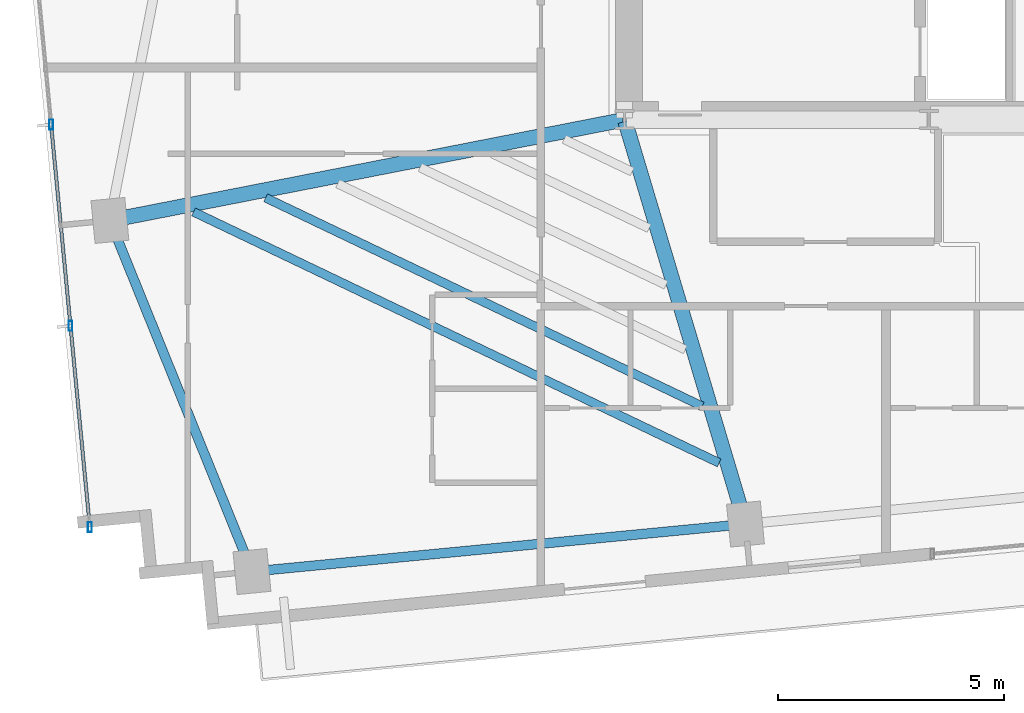
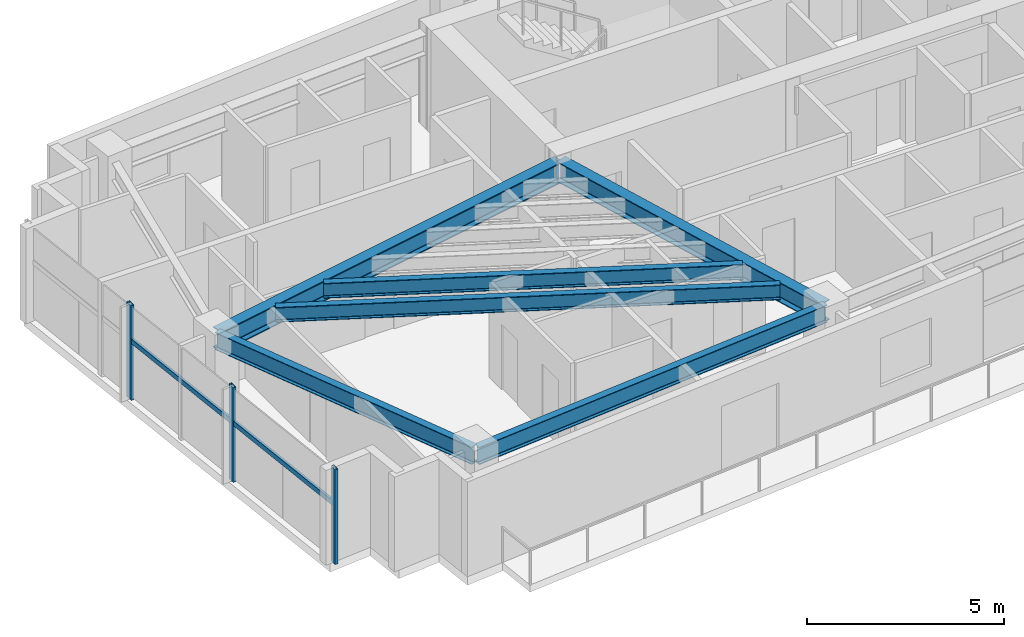
# One storey, part 2 of 18: 6 beams, 5 members, 1 element without a shape of its own.
"""IFC4 building model written with IfcOpenShell, lengths in metres."""

from ifc_helpers import new_model, si_unit, direction, frame, origin, origin_2d, place, context, subcontext, project, spatial, hollow_rectangle, i_section, extrude, source, transform, mapped, material, material_profile, profile_set, type_object, type_shapes, element, aggregate, save


model = new_model("IFC4")

# Units and contexts
model_context = context("Model", 3, precision=1e-05, world=origin(), true_north=direction((0.0, 1.0)))
body_context = subcontext(model_context, "Body", "Model", "MODEL_VIEW")
ifc_project = project(units=[si_unit("LENGTHUNIT", "METRE"), si_unit("AREAUNIT", "SQUARE_METRE"), si_unit("VOLUMEUNIT", "CUBIC_METRE"), si_unit("PLANEANGLEUNIT", "RADIAN"), si_unit("MASSUNIT", "GRAM", prefix="KILO")], contexts=[model_context])

# Site, building, storey
site_placement = place(None, origin())
site = spatial("IfcSite", under=ifc_project, at=site_placement, CompositionType="ELEMENT")
building_placement = place(site_placement, origin())
building = spatial("IfcBuilding", under=site, at=building_placement, Name="Astriad Promenade Condominiums", CompositionType="ELEMENT")
storey_placement = place(building_placement, frame((0.0, 0.0, 205.0)))
storey = spatial("IfcBuildingStorey", under=building, at=storey_placement, Name="L59", CompositionType="ELEMENT", Elevation=205.0)

# Beams
ifc_material_1 = material(Name="Steel ASTM A992 Grade 50", Category="steel")
ifc_material_profile_1 = material_profile(ifc_material_1, i_section(OverallWidth=0.210693359375, OverallDepth=0.53955078125, WebThickness=0.01171875, FlangeThickness=0.018798828125, FilletRadius=0.0166015625, at=origin_2d()), Name="W21X73")
ifc_profile_set_1 = profile_set([ifc_material_profile_1], Name="Steel ASTM A992 Grade 50")
beam_type_1 = type_object("IfcBeamType", Name="STEEL SPANDREL BEAM W21X73", PredefinedType="SPANDREL", material=ifc_profile_set_1)
shared_shape_1 = source(origin(), body_context, "Body", "SweptSolid", [
    extrude(i_section(OverallWidth=0.210693359375, OverallDepth=0.53955078125, WebThickness=0.01171875, FlangeThickness=0.018798828125, FilletRadius=0.0166015625, at=origin_2d()), origin(), (0.0, 0.0, 1.0), 10.8701171875),
])
beam_1_placement = place(storey_placement, frame((18.209228515625, 7.421630859375, 2.67041015625), z_axis=(0.995394986184, 0.09585834069, 0.0), x_axis=(-0.09585834069, 0.995394986184, 0.0)))
element("IfcBeam", 1, at=beam_1_placement, inside=storey, type_object=beam_type_1, Name="Perimeter Spandrel Beam SP-S1-L59", PredefinedType="SPANDREL", context=body_context, shape_type="MappedRepresentation", body=[
    mapped(shared_shape_1, transform((0.0, 0.0, 0.0), scale=1.0)),
])
shared_shape_2 = source(origin(), body_context, "Body", "SweptSolid", [
    extrude(i_section(OverallWidth=0.210693359375, OverallDepth=0.53955078125, WebThickness=0.01171875, FlangeThickness=0.018798828125, FilletRadius=0.0166015625, at=origin_2d()), origin(), (0.0, 0.0, 1.0), 8.28564453125),
])
type_shapes(beam_type_1, [shared_shape_1, shared_shape_2])
beam_2_placement = place(storey_placement, frame((15.046875, 15.1357421875, 2.67041015625), z_axis=(0.375070987134, -0.926996092014, 0.0), x_axis=(0.926996092014, 0.375070987134, 0.0)))
element("IfcBeam", 2, at=beam_2_placement, inside=storey, type_object=beam_type_1, Name="Perimeter Spandrel Beam SP-W1-L59", PredefinedType="SPANDREL", context=body_context, shape_type="MappedRepresentation", body=[
    mapped(shared_shape_2, transform((0.0, 0.0, 0.0), scale=1.0)),
])
ifc_material_profile_2 = material_profile(ifc_material_1, i_section(OverallWidth=0.327392578125, OverallDepth=0.640625, WebThickness=0.01904296875, FlangeThickness=0.033935546875, FilletRadius=0.017822265625, at=origin_2d()), Name="W24X176")
ifc_profile_set_2 = profile_set([ifc_material_profile_2], Name="Steel ASTM A992 Grade 50")
beam_type_2 = type_object("IfcBeamType", Name="STEEL FLOOR GIRDER W24X176", PredefinedType="BEAM", material=ifc_profile_set_2)
shared_shape_3 = source(origin(), body_context, "Body", "SweptSolid", [
    extrude(i_section(OverallWidth=0.327392578125, OverallDepth=0.640625, WebThickness=0.01904296875, FlangeThickness=0.033935546875, FilletRadius=0.017822265625, at=origin_2d()), origin(), (0.0, 0.0, 1.0), 11.504150390625),
])
type_shapes(beam_type_2, [shared_shape_3])
beam_3_placement = place(storey_placement, frame((15.071044921875, 15.1806640625, 2.61962890625), z_axis=(0.981346028441, 0.192249765833, 0.0), x_axis=(-0.192249765833, 0.981346028441, 0.0)))
element("IfcBeam", 3, at=beam_3_placement, inside=storey, type_object=beam_type_2, Name="Primary Floor Girder PG-WM-L59", PredefinedType="BEAM", context=body_context, shape_type="MappedRepresentation", body=[
    mapped(shared_shape_3, transform((0.0, 0.0, 0.0), scale=1.0)),
])
ifc_material_profile_3 = material_profile(ifc_material_1, i_section(OverallWidth=0.326416015625, OverallDepth=0.621826171875, WebThickness=0.015380859375, FlangeThickness=0.0244140625, FilletRadius=0.017822265625, at=origin_2d()), Name="W24X131")
ifc_profile_set_3 = profile_set([ifc_material_profile_3], Name="Steel ASTM A992 Grade 50")
beam_type_3 = type_object("IfcBeamType", Name="STEEL FLOOR GIRDER W24X131", PredefinedType="BEAM", material=ifc_profile_set_3)
shared_shape_4 = source(origin(), body_context, "Body", "SweptSolid", [
    extrude(i_section(OverallWidth=0.326416015625, OverallDepth=0.621826171875, WebThickness=0.015380859375, FlangeThickness=0.0244140625, FilletRadius=0.017822265625, at=origin_2d()), origin(), (0.0, 0.0, 1.0), 9.242919921875),
])
type_shapes(beam_type_3, [shared_shape_4])
beam_4_placement = place(storey_placement, frame((29.0576171875, 8.505615234375, 2.629150390625), z_axis=(-0.286269354745, 0.958149182818, 0.0), x_axis=(-0.958149182818, -0.286269354745, 0.0)))
element("IfcBeam", 4, at=beam_4_placement, inside=storey, type_object=beam_type_3, Name="Primary Floor Girder PG-W2-L59", PredefinedType="BEAM", context=body_context, shape_type="MappedRepresentation", body=[
    mapped(shared_shape_4, transform((0.0, 0.0, 0.0), scale=1.0)),
])
ifc_material_profile_4 = material_profile(ifc_material_1, i_section(OverallWidth=0.19287109375, OverallDepth=0.466064453125, WebThickness=0.011474609375, FlangeThickness=0.01904296875, FilletRadius=0.01513671875, at=origin_2d()), Name="W18X65")
ifc_profile_set_4 = profile_set([ifc_material_profile_4], Name="Steel ASTM A992 Grade 50")
beam_type_4 = type_object("IfcBeamType", Name="STEEL FLOOR JOIST W18X65", PredefinedType="JOIST", material=ifc_profile_set_4)
shared_shape_5 = source(origin(), body_context, "Body", "SweptSolid", [
    extrude(i_section(OverallWidth=0.19287109375, OverallDepth=0.466064453125, WebThickness=0.011474609375, FlangeThickness=0.01904296875, FilletRadius=0.01513671875, at=origin_2d()), origin(), (0.0, 0.0, 1.0), 12.864013671875),
])
beam_5_placement = place(storey_placement, frame((16.8798828125, 15.362060546875, 2.70703125), z_axis=(0.902332932985, -0.431039763886, 0.0), x_axis=(0.431039763886, 0.902332932985, 0.0)))
element("IfcBeam", 5, at=beam_5_placement, inside=storey, type_object=beam_type_4, Name="Secondary Composite Floor Joist JW1-1-L59", PredefinedType="JOIST", context=body_context, shape_type="MappedRepresentation", body=[
    mapped(shared_shape_5, transform((0.0, 0.0, 0.0), scale=1.0)),
])
shared_shape_6 = source(origin(), body_context, "Body", "SweptSolid", [
    extrude(i_section(OverallWidth=0.19287109375, OverallDepth=0.466064453125, WebThickness=0.011474609375, FlangeThickness=0.01904296875, FilletRadius=0.01513671875, at=origin_2d()), origin(), (0.0, 0.0, 1.0), 10.686279296875),
])
type_shapes(beam_type_4, [shared_shape_5, shared_shape_6])
beam_6_placement = place(storey_placement, frame((18.471435546875, 15.673828125, 2.70703125), z_axis=(0.902342124644, -0.431020521661, 0.0), x_axis=(0.431020521661, 0.902342124644, 0.0)))
element("IfcBeam", 6, at=beam_6_placement, inside=storey, type_object=beam_type_4, Name="Secondary Composite Floor Joist JW1-2-L59", PredefinedType="JOIST", context=body_context, shape_type="MappedRepresentation", body=[
    mapped(shared_shape_6, transform((0.0, 0.0, 0.0), scale=1.0)),
])

# Curtain wall, members
ifc_material_2 = material(Name="Anodised aluminium Black Dark Glass Unitised", Category="aluminium")
curtain_wall_type = type_object("IfcCurtainWallType", Name="CW-B34-DARK", PredefinedType="USERDEFINED", material=ifc_material_2)
curtain_wall_placement = place(storey_placement, origin())
curtain_wall = element("IfcCurtainWall", 7, at=curtain_wall_placement, inside=storey, type_object=curtain_wall_type, Name="CW-L59-W", ObjectType="UNITISED_CURTAIN_WALL", PredefinedType="USERDEFINED")
ifc_material_3 = material(Name="Anodised aluminium 6063-T6 Black", Category="aluminium")
ifc_material_profile_5 = material_profile(ifc_material_3, hollow_rectangle(XDim=0.0849609375, YDim=0.219970703125, WallThickness=0.0048828125, at=origin_2d()), Name="ALU-MUL-85X220")
ifc_profile_set_5 = profile_set([ifc_material_profile_5], Name="Anodised aluminium 6063-T6 Black")
member_type_1 = type_object("IfcMemberType", Name="MUL-ALU-MUL-85X220", PredefinedType="MULLION", material=ifc_profile_set_5)
shared_shape_7 = source(origin(), body_context, "Body", "SweptSolid", [
    extrude(hollow_rectangle(XDim=0.0849609375, YDim=0.219970703125, WallThickness=0.0048828125, at=origin_2d()), origin(), (0.0, 0.0, 1.0), 2.93994140625),
])
type_shapes(member_type_1, [shared_shape_7])
member_1_placement = place(storey_placement, frame((14.589111328125, 8.3994140625, 0.0), z_axis=(0.0, 0.0, 1.0), x_axis=(1.0, 0.0, 0.0)))
member_1 = element("IfcMember", 8, at=member_1_placement, type_object=member_type_1, Name="CW-L59-W-MUL-00", PredefinedType="MULLION", context=body_context, shape_type="MappedRepresentation", body=[
    mapped(shared_shape_7, transform((0.0, 0.0, 0.0), scale=1.0)),
])
member_2_placement = place(storey_placement, frame((14.160888671875, 12.845458984375, 0.0), z_axis=(0.0, 0.0, 1.0), x_axis=(1.0, 0.0, 0.0)))
member_2 = element("IfcMember", 9, at=member_2_placement, type_object=member_type_1, Name="CW-L59-W-MUL-01", PredefinedType="MULLION", context=body_context, shape_type="MappedRepresentation", body=[
    mapped(shared_shape_7, transform((0.0, 0.0, 0.0), scale=1.0)),
])
member_3_placement = place(storey_placement, frame((13.732666015625, 17.29150390625, 0.0), z_axis=(0.0, 0.0, 1.0), x_axis=(1.0, 0.0, 0.0)))
member_3 = element("IfcMember", 10, at=member_3_placement, type_object=member_type_1, Name="CW-L59-W-MUL-02", PredefinedType="MULLION", context=body_context, shape_type="MappedRepresentation", body=[
    mapped(shared_shape_7, transform((0.0, 0.0, 0.0), scale=1.0)),
])
ifc_material_profile_6 = material_profile(ifc_material_3, hollow_rectangle(XDim=0.074951171875, YDim=0.14990234375, WallThickness=0.004150390625, at=origin_2d()), Name="ALU-TRN-75X150")
ifc_profile_set_6 = profile_set([ifc_material_profile_6], Name="Anodised aluminium 6063-T6 Black")
member_type_2 = type_object("IfcMemberType", Name="TRN-ALU-TRN-75X150", PredefinedType="USERDEFINED", material=ifc_profile_set_6)
shared_shape_8 = source(origin(), body_context, "Body", "SweptSolid", [
    extrude(hollow_rectangle(XDim=0.074951171875, YDim=0.14990234375, WallThickness=0.004150390625, at=origin_2d()), origin(), (0.0, 0.0, 1.0), 4.466552734375),
])
type_shapes(member_type_2, [shared_shape_8])
member_4_placement = place(storey_placement, frame((14.589111328125, 8.3994140625, 1.82275390625), z_axis=(-0.095871755514, 0.995393694221, 0.0), x_axis=(-0.995393694221, -0.095871755514, 0.0)))
member_4 = element("IfcMember", 11, at=member_4_placement, type_object=member_type_2, Name="CW-L59-W-TRN-00-0", ObjectType="TRANSOM", PredefinedType="USERDEFINED", context=body_context, shape_type="MappedRepresentation", body=[
    mapped(shared_shape_8, transform((0.0, 0.0, 0.0), scale=1.0)),
])
member_5_placement = place(storey_placement, frame((14.160888671875, 12.845458984375, 1.82275390625), z_axis=(-0.095871755514, 0.995393694221, 0.0), x_axis=(-0.995393694221, -0.095871755514, 0.0)))
member_5 = element("IfcMember", 12, at=member_5_placement, type_object=member_type_2, Name="CW-L59-W-TRN-01-0", ObjectType="TRANSOM", PredefinedType="USERDEFINED", context=body_context, shape_type="MappedRepresentation", body=[
    mapped(shared_shape_8, transform((0.0, 0.0, 0.0), scale=1.0)),
])
aggregate(curtain_wall, [member_1, member_2, member_3, member_4, member_5])

save(model, "model.ifc")
